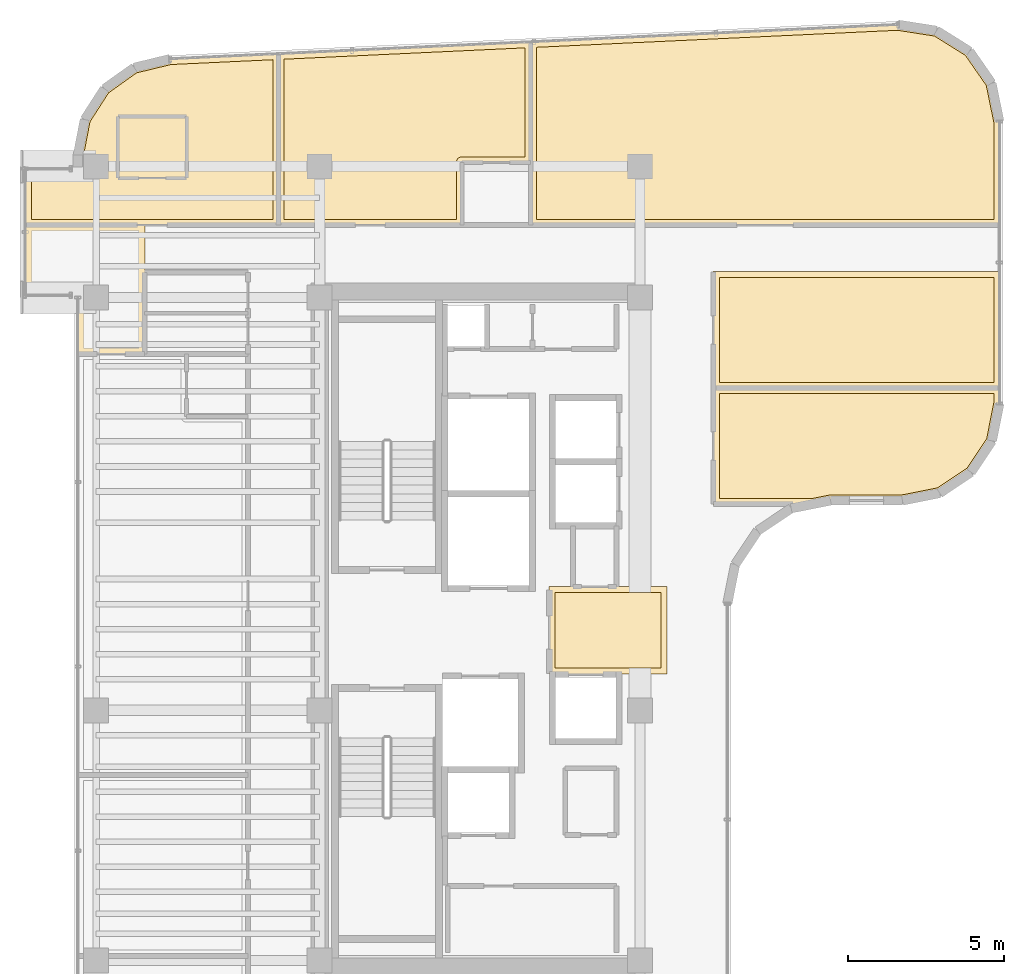
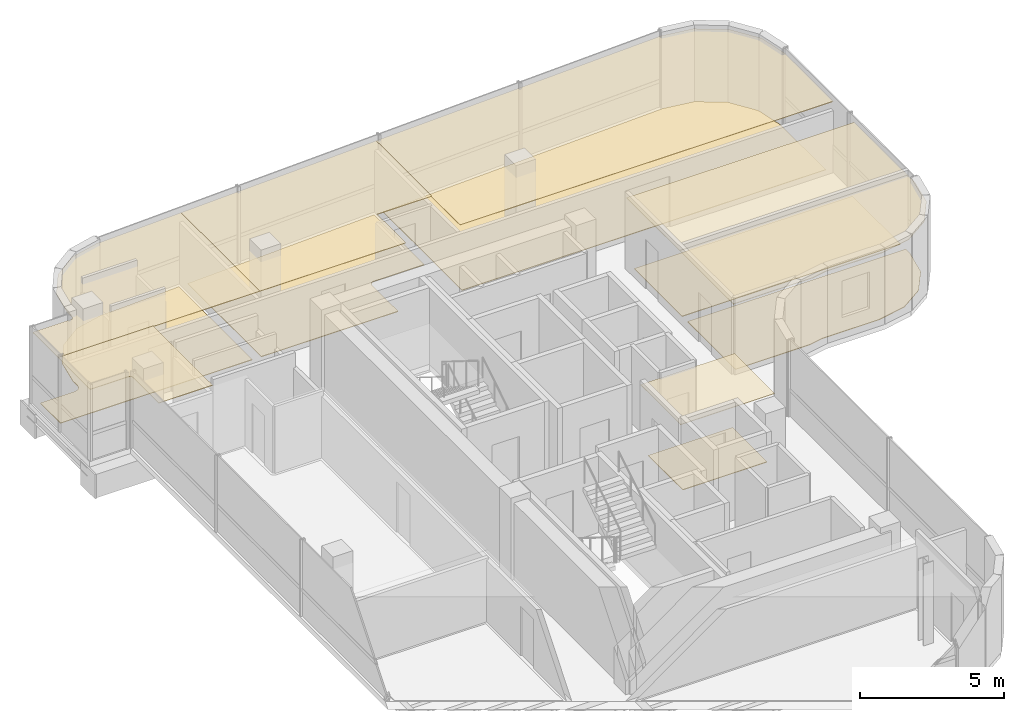
# One storey, part 20 of 20: 13 coverings.
"""IFC4 building model written with IfcOpenShell, lengths in metres."""

from ifc_helpers import new_model, si_unit, direction, frame, origin, place, context, subcontext, project, spatial, polyline, outline, extrude, material, layer, layer_set, type_object, element, save


model = new_model("IFC4")

# Units and contexts
model_context = context("Model", 3, precision=1e-05, world=origin(), true_north=direction((0.0, 1.0)))
body_context = subcontext(model_context, "Body", "Model", "MODEL_VIEW")
ifc_project = project(units=[si_unit("LENGTHUNIT", "METRE"), si_unit("AREAUNIT", "SQUARE_METRE"), si_unit("VOLUMEUNIT", "CUBIC_METRE"), si_unit("PLANEANGLEUNIT", "RADIAN"), si_unit("MASSUNIT", "GRAM", prefix="KILO")], contexts=[model_context])

# Site, building, storey
site_placement = place(None, origin())
site = spatial("IfcSite", under=ifc_project, at=site_placement, CompositionType="ELEMENT")
building_placement = place(site_placement, origin())
building = spatial("IfcBuilding", under=site, at=building_placement, Name="Valdorenza Pilgrim Sanctuary Tower", CompositionType="ELEMENT")
storey_placement = place(building_placement, frame((0.0, 0.0, 283.5)))
storey = spatial("IfcBuildingStorey", under=building, at=storey_placement, Name="L74", CompositionType="ELEMENT", Elevation=283.5)

# Coverings
ifc_material_1 = material(Name="Micro-perforated acoustic mineral ceiling tile", Category="gypsum")
ifc_layer_1 = layer(ifc_material_1, 0.02490234375, Name="Micro-perforated acoustic mineral ceiling tile")
ifc_layer_set_1 = layer_set([ifc_layer_1], Name="Micro-perforated acoustic mineral ceiling tile")
covering_type_1 = type_object("IfcCoveringType", Name="COV-CLG-ACU", PredefinedType="CEILING", material=ifc_layer_set_1)
covering_1_placement = place(storey_placement, frame((0.0, 0.0, 2.9599609375)))
element("IfcCovering", 1, at=covering_1_placement, inside=storey, type_object=covering_type_1, Name="L74 Core A Passenger Lift Lobby Acoustic Ceiling", PredefinedType="CEILING", context=body_context, shape_type="SweptSolid", body=[
    extrude(outline(polyline([(-15.31494140625, 1.35009765625), (-15.31494140625, 1.3515625), (-15.314697265625, 1.352783203125), (-15.314453125, 1.3544921875), (-15.31396484375, 1.355712890625), (-15.313232421875, 1.357177734375), (-15.3125, 1.3583984375), (-15.3115234375, 1.359619140625), (-15.310546875, 1.360595703125), (-15.3095703125, 1.361572265625), (-15.308349609375, 1.362548828125), (-15.30712890625, 1.36328125), (-15.3056640625, 1.364013671875), (-15.304443359375, 1.364501953125), (-15.302978515625, 1.36474609375), (-15.301513671875, 1.364990234375), (-15.300048828125, 1.364990234375), (-11.550048828125, 1.364990234375), (-11.548583984375, 1.364990234375), (-11.547119140625, 1.36474609375), (-11.545654296875, 1.364501953125), (-11.544189453125, 1.364013671875), (-11.54296875, 1.36328125), (-11.541748046875, 1.362548828125), (-11.54052734375, 1.361572265625), (-11.539306640625, 1.360595703125), (-11.538330078125, 1.359619140625), (-11.53759765625, 1.3583984375), (-11.536865234375, 1.357177734375), (-11.5361328125, 1.355712890625), (-11.53564453125, 1.3544921875), (-11.535400390625, 1.352783203125), (-11.53515625, 1.3515625), (-11.534912109375, 1.35009765625), (-11.534912109375, -1.419921875), (-11.53515625, -1.42138671875), (-11.535400390625, -1.4228515625), (-11.53564453125, -1.42431640625), (-11.5361328125, -1.42578125), (-11.536865234375, -1.427001953125), (-11.53759765625, -1.42822265625), (-11.538330078125, -1.429443359375), (-11.539306640625, -1.4306640625), (-11.54052734375, -1.431640625), (-11.541748046875, -1.4326171875), (-11.54296875, -1.43310546875), (-11.544189453125, -1.433837890625), (-11.545654296875, -1.434326171875), (-11.547119140625, -1.434814453125), (-11.548583984375, -1.434814453125), (-11.550048828125, -1.43505859375), (-15.298095703125, -1.43505859375), (-15.299560546875, -1.434814453125), (-15.30078125, -1.434814453125), (-15.302490234375, -1.434326171875), (-15.3037109375, -1.433837890625), (-15.30517578125, -1.43310546875), (-15.306396484375, -1.4326171875), (-15.3076171875, -1.431640625), (-15.30859375, -1.4306640625), (-15.3095703125, -1.429443359375), (-15.310546875, -1.42822265625), (-15.311279296875, -1.427001953125), (-15.31201171875, -1.42578125), (-15.3125, -1.42431640625), (-15.312744140625, -1.4228515625), (-15.31298828125, -1.42138671875), (-15.31298828125, -1.419921875), (-15.31298828125, 1.244384765625), (-15.31298828125, 1.24462890625), (-15.313720703125, 1.24609375), (-15.314208984375, 1.24755859375), (-15.314697265625, 1.2490234375), (-15.31494140625, 1.25048828125), (-15.31494140625, 1.251953125), (-15.31494140625, 1.35009765625)])), origin(), (0.0, 0.0, 1.0), 0.025146484375),
])
covering_2_placement = place(storey_placement, frame((0.0, 0.0, 2.9599609375)))
element("IfcCovering", 2, at=covering_2_placement, inside=storey, type_object=covering_type_1, Name="L74 Pilgrim Scholar Office L74-WN Acoustic Ceiling", PredefinedType="CEILING", context=body_context, shape_type="SweptSolid", body=[
    extrude(outline(polyline([(-28.237060546875, 11.39453125), (-28.237060546875, 10.103759765625), (-28.23681640625, 10.10302734375), (-28.23681640625, 10.1015625), (-28.23681640625, 10.10009765625), (-28.23681640625, 10.098388671875), (-28.237060546875, 10.09814453125), (-28.237060546875, 8.800048828125), (-28.237060546875, 8.798583984375), (-28.2373046875, 8.797119140625), (-28.237548828125, 8.795654296875), (-28.238037109375, 8.794189453125), (-28.23876953125, 8.79296875), (-28.239501953125, 8.791748046875), (-28.240478515625, 8.79052734375), (-28.241455078125, 8.789306640625), (-28.242431640625, 8.788330078125), (-28.24365234375, 8.78759765625), (-28.244873046875, 8.786865234375), (-28.246337890625, 8.7861328125), (-28.24755859375, 8.78564453125), (-28.2490234375, 8.785400390625), (-28.25048828125, 8.78515625), (-28.251953125, 8.784912109375), (-30.389892578125, 8.784912109375), (-30.3916015625, 8.78515625), (-30.392822265625, 8.785400390625), (-30.394287109375, 8.78564453125), (-30.395751953125, 8.7861328125), (-30.397216796875, 8.786865234375), (-30.398193359375, 8.78759765625), (-30.3994140625, 8.788330078125), (-30.400634765625, 8.789306640625), (-30.401611328125, 8.79052734375), (-30.402587890625, 8.791748046875), (-30.4033203125, 8.79296875), (-30.40380859375, 8.794189453125), (-30.404296875, 8.795654296875), (-30.40478515625, 8.797119140625), (-30.40478515625, 8.798583984375), (-30.405029296875, 8.800048828125), (-30.405029296875, 10.599609375), (-30.405517578125, 10.609375), (-30.40673828125, 10.618408203125), (-30.4091796875, 10.627685546875), (-30.412109375, 10.63623046875), (-30.416259765625, 10.644775390625), (-30.4208984375, 10.65283203125), (-30.426513671875, 10.660400390625), (-30.432861328125, 10.667236328125), (-30.439697265625, 10.67333984375), (-30.447265625, 10.678955078125), (-30.455078125, 10.683837890625), (-30.463623046875, 10.687744140625), (-30.472412109375, 10.69091796875), (-30.4814453125, 10.693115234375), (-30.49072265625, 10.694580078125), (-30.50048828125, 10.695068359375), (-32.0400390625, 10.695068359375), (-32.04150390625, 10.695068359375), (-32.04296875, 10.6953125), (-32.04443359375, 10.695556640625), (-32.045654296875, 10.696044921875), (-32.047119140625, 10.69677734375), (-32.04833984375, 10.697509765625), (-32.049560546875, 10.698486328125), (-32.050537109375, 10.699462890625), (-32.051513671875, 10.700439453125), (-32.052490234375, 10.70166015625), (-32.05322265625, 10.702880859375), (-32.053955078125, 10.704345703125), (-32.054443359375, 10.70556640625), (-32.0546875, 10.70703125), (-32.054931640625, 10.70849609375), (-32.054931640625, 10.7099609375), (-32.054931640625, 12.919921875), (-32.054931640625, 12.92138671875), (-32.0546875, 12.9228515625), (-32.054443359375, 12.92431640625), (-32.053955078125, 12.92578125), (-32.05322265625, 12.927001953125), (-32.052490234375, 12.92822265625), (-32.051513671875, 12.929443359375), (-32.050537109375, 12.9306640625), (-32.049560546875, 12.931640625), (-32.04833984375, 12.9326171875), (-32.047119140625, 12.93310546875), (-32.045654296875, 12.933837890625), (-32.04443359375, 12.934326171875), (-32.04296875, 12.934814453125), (-32.04150390625, 12.934814453125), (-32.0400390625, 12.93505859375), (-28.25, 12.93505859375), (-28.24853515625, 12.934814453125), (-28.2470703125, 12.934814453125), (-28.24560546875, 12.934326171875), (-28.244384765625, 12.933837890625), (-28.242919921875, 12.93310546875), (-28.24169921875, 12.9326171875), (-28.240478515625, 12.931640625), (-28.239501953125, 12.9306640625), (-28.23828125, 12.929443359375), (-28.237548828125, 12.92822265625), (-28.23681640625, 12.927001953125), (-28.236083984375, 12.92578125), (-28.235595703125, 12.92431640625), (-28.2353515625, 12.9228515625), (-28.235107421875, 12.92138671875), (-28.235107421875, 12.919921875), (-28.235107421875, 11.402099609375), (-28.235107421875, 11.400390625), (-28.2353515625, 11.39892578125), (-28.235595703125, 11.3974609375), (-28.236083984375, 11.39599609375), (-28.23681640625, 11.394775390625), (-28.237060546875, 11.39453125)])), origin(), (0.0, 0.0, 1.0), 0.025146484375),
])
covering_3_placement = place(storey_placement, frame((0.0, 0.0, 2.9599609375)))
element("IfcCovering", 3, at=covering_3_placement, inside=storey, type_object=covering_type_1, Name="L74 North Grand Guest Room L74-N1A Acoustic Ceiling", PredefinedType="CEILING", context=body_context, shape_type="SweptSolid", body=[
    extrude(outline(polyline([(-30.50048828125, 14.705078125), (-30.49072265625, 14.70556640625), (-30.4814453125, 14.706787109375), (-30.472412109375, 14.708984375), (-30.463623046875, 14.712158203125), (-30.455078125, 14.71630859375), (-30.447265625, 14.720947265625), (-30.439697265625, 14.7265625), (-30.432861328125, 14.73291015625), (-30.426513671875, 14.73974609375), (-30.4208984375, 14.747314453125), (-30.416259765625, 14.755126953125), (-30.412109375, 14.763671875), (-30.4091796875, 14.7724609375), (-30.40673828125, 14.781494140625), (-30.405517578125, 14.790771484375), (-30.405029296875, 14.80029296875), (-30.405029296875, 15.13671875), (-30.40478515625, 15.13818359375), (-30.40478515625, 15.1396484375), (-30.181396484375, 16.298095703125), (-30.180908203125, 16.299560546875), (-30.180419921875, 16.30078125), (-30.179931640625, 16.30224609375), (-30.17919921875, 16.303466796875), (-29.547119140625, 17.286865234375), (-29.546142578125, 17.2880859375), (-29.545166015625, 17.2890625), (-29.544189453125, 17.2900390625), (-29.54296875, 17.291015625), (-28.59033203125, 17.968994140625), (-28.589111328125, 17.9697265625), (-28.587890625, 17.97021484375), (-28.586669921875, 17.970947265625), (-28.585205078125, 17.97119140625), (-27.438720703125, 18.248779296875), (-27.437255859375, 18.249267578125), (-27.435791015625, 18.249267578125), (-23.970703125, 18.41259765625), (-23.96923828125, 18.41259765625), (-23.9677734375, 18.41259765625), (-23.96630859375, 18.412109375), (-23.96484375, 18.41162109375), (-23.96337890625, 18.4111328125), (-23.9619140625, 18.410400390625), (-23.960693359375, 18.409423828125), (-23.959716796875, 18.408447265625), (-23.95849609375, 18.407470703125), (-23.957763671875, 18.40625), (-23.956787109375, 18.40478515625), (-23.956298828125, 18.403564453125), (-23.955810546875, 18.402099609375), (-23.955322265625, 18.400634765625), (-23.955078125, 18.399169921875), (-23.955078125, 18.397705078125), (-23.955078125, 12.919921875), (-23.955078125, 12.91845703125), (-23.955322265625, 12.9169921875), (-23.95556640625, 12.91552734375), (-23.9560546875, 12.914306640625), (-23.956787109375, 12.912841796875), (-23.95751953125, 12.91162109375), (-23.95849609375, 12.910400390625), (-23.95947265625, 12.909423828125), (-23.96044921875, 12.908447265625), (-23.961669921875, 12.907470703125), (-23.962890625, 12.90673828125), (-23.96435546875, 12.906005859375), (-23.965576171875, 12.905517578125), (-23.967041015625, 12.9052734375), (-23.968505859375, 12.905029296875), (-23.969970703125, 12.905029296875), (-28.248046875, 12.905029296875), (-28.24951171875, 12.905029296875), (-28.250732421875, 12.9052734375), (-28.252197265625, 12.905517578125), (-28.253662109375, 12.906005859375), (-28.2548828125, 12.90673828125), (-28.25537109375, 12.906982421875), (-32.0400390625, 12.906982421875), (-32.04150390625, 12.906982421875), (-32.04296875, 12.9072265625), (-32.04443359375, 12.90771484375), (-32.045654296875, 12.908203125), (-32.047119140625, 12.90869140625), (-32.04833984375, 12.909423828125), (-32.049560546875, 12.910400390625), (-32.050537109375, 12.911376953125), (-32.051513671875, 12.91259765625), (-32.052490234375, 12.913818359375), (-32.05322265625, 12.914794921875), (-32.053955078125, 12.916259765625), (-32.054443359375, 12.91748046875), (-32.0546875, 12.919189453125), (-32.054931640625, 12.92041015625), (-32.054931640625, 12.922119140625), (-32.054931640625, 14.68994140625), (-32.054931640625, 14.69140625), (-32.0546875, 14.69287109375), (-32.054443359375, 14.6943359375), (-32.053955078125, 14.69580078125), (-32.05322265625, 14.697021484375), (-32.052490234375, 14.6982421875), (-32.051513671875, 14.699462890625), (-32.050537109375, 14.70068359375), (-32.049560546875, 14.70166015625), (-32.04833984375, 14.702392578125), (-32.047119140625, 14.703125), (-32.045654296875, 14.703857421875), (-32.04443359375, 14.704345703125), (-32.04296875, 14.70458984375), (-32.04150390625, 14.704833984375), (-32.0400390625, 14.705078125), (-30.50048828125, 14.705078125)])), origin(), (0.0, 0.0, 1.0), 0.025146484375),
])
covering_4_placement = place(storey_placement, frame((0.0, 0.0, 2.9599609375)))
element("IfcCovering", 4, at=covering_4_placement, inside=storey, type_object=covering_type_1, Name="L74 North Grand Guest Room L74-N1B Acoustic Ceiling", PredefinedType="CEILING", context=body_context, shape_type="SweptSolid", body=[
    extrude(outline(polyline([(-23.98291015625, 18.397705078125), (-23.98291015625, 18.3984375), (-23.98291015625, 18.39990234375), (-23.982666015625, 18.4013671875), (-23.982177734375, 18.40283203125), (-23.981689453125, 18.404296875), (-23.98095703125, 18.405517578125), (-23.97998046875, 18.40673828125), (-23.97900390625, 18.40771484375), (-23.97802734375, 18.408935546875), (-23.976806640625, 18.409912109375), (-23.9755859375, 18.41064453125), (-23.974365234375, 18.411376953125), (-23.972900390625, 18.411865234375), (-23.9716796875, 18.412353515625), (-23.97021484375, 18.41259765625), (-23.96875, 18.41259765625), (-15.900634765625, 18.793212890625), (-15.899169921875, 18.793212890625), (-15.897705078125, 18.79296875), (-15.896240234375, 18.79248046875), (-15.894775390625, 18.7919921875), (-15.893310546875, 18.79150390625), (-15.89208984375, 18.790771484375), (-15.890869140625, 18.789794921875), (-15.8896484375, 18.7890625), (-15.888671875, 18.787841796875), (-15.8876953125, 18.78662109375), (-15.886962890625, 18.785400390625), (-15.88623046875, 18.783935546875), (-15.8857421875, 18.78271484375), (-15.88525390625, 18.781005859375), (-15.885009765625, 18.779541015625), (-15.885009765625, 18.778076171875), (-15.885009765625, 14.922119140625), (-15.885009765625, 14.92041015625), (-15.88525390625, 14.919189453125), (-15.885498046875, 14.91748046875), (-15.885986328125, 14.916259765625), (-15.88671875, 14.914794921875), (-15.887451171875, 14.913818359375), (-15.888427734375, 14.91259765625), (-15.889404296875, 14.911376953125), (-15.890380859375, 14.910400390625), (-15.8916015625, 14.909423828125), (-15.892822265625, 14.90869140625), (-15.894287109375, 14.908203125), (-15.8955078125, 14.90771484375), (-15.897216796875, 14.9072265625), (-15.8984375, 14.906982421875), (-15.89990234375, 14.906982421875), (-18.0869140625, 14.906982421875), (-18.0869140625, 12.919921875), (-18.087158203125, 12.91845703125), (-18.08740234375, 12.9169921875), (-18.087646484375, 12.91552734375), (-18.088134765625, 12.914306640625), (-18.0888671875, 12.912841796875), (-18.089599609375, 12.91162109375), (-18.09033203125, 12.910400390625), (-18.09130859375, 12.909423828125), (-18.092529296875, 12.908447265625), (-18.09375, 12.907470703125), (-18.094970703125, 12.90673828125), (-18.09619140625, 12.906005859375), (-18.09765625, 12.905517578125), (-18.09912109375, 12.9052734375), (-18.1005859375, 12.905029296875), (-18.10205078125, 12.905029296875), (-23.968017578125, 12.905029296875), (-23.969482421875, 12.905029296875), (-23.970947265625, 12.9052734375), (-23.972412109375, 12.905517578125), (-23.9736328125, 12.906005859375), (-23.97509765625, 12.90673828125), (-23.976318359375, 12.907470703125), (-23.9775390625, 12.908447265625), (-23.978515625, 12.909423828125), (-23.9794921875, 12.910400390625), (-23.98046875, 12.91162109375), (-23.981201171875, 12.912841796875), (-23.98193359375, 12.914306640625), (-23.982421875, 12.91552734375), (-23.982666015625, 12.9169921875), (-23.98291015625, 12.91845703125), (-23.98291015625, 12.919921875), (-23.98291015625, 18.397705078125), (-23.98291015625, 18.397705078125)])), origin(), (0.0, 0.0, 1.0), 0.025146484375),
])
covering_5_placement = place(storey_placement, frame((0.0, 0.0, 2.9599609375)))
element("IfcCovering", 5, at=covering_5_placement, inside=storey, type_object=covering_type_1, Name="L74 Sacred Archive Reading Library L74-N2 Acoustic Ceiling", PredefinedType="CEILING", context=body_context, shape_type="SweptSolid", body=[
    extrude(outline(polyline([(-15.9130859375, 14.918212890625), (-15.9130859375, 14.9189453125), (-15.913330078125, 14.92041015625), (-15.9130859375, 14.922119140625), (-15.9130859375, 14.923583984375), (-15.9130859375, 14.923828125), (-15.9130859375, 18.778076171875), (-15.9130859375, 18.778076171875), (-15.9130859375, 18.77880859375), (-15.912841796875, 18.780517578125), (-15.91259765625, 18.78173828125), (-15.912109375, 18.783203125), (-15.91162109375, 18.78466796875), (-15.910888671875, 18.785888671875), (-15.91015625, 18.787109375), (-15.9091796875, 18.788330078125), (-15.908203125, 18.789306640625), (-15.906982421875, 18.790283203125), (-15.90576171875, 18.791015625), (-15.904296875, 18.791748046875), (-15.903076171875, 18.792236328125), (-15.901611328125, 18.792724609375), (-15.900146484375, 18.79296875), (-15.898681640625, 18.793212890625), (-4.157470703125, 19.3466796875), (-4.156005859375, 19.3466796875), (-4.154296875, 19.346435546875), (-2.91748046875, 19.153076171875), (-2.916015625, 19.152587890625), (-2.91455078125, 19.15234375), (-2.9130859375, 19.151611328125), (-2.911865234375, 19.15087890625), (-1.860595703125, 18.492431640625), (-1.859619140625, 18.49169921875), (-1.8583984375, 18.490478515625), (-1.857421875, 18.489501953125), (-1.8564453125, 18.48828125), (-1.149169921875, 17.46923828125), (-1.148193359375, 17.468017578125), (-1.147705078125, 17.466552734375), (-1.147216796875, 17.465087890625), (-1.146728515625, 17.463623046875), (-0.895263671875, 16.237548828125), (-0.89501953125, 16.236083984375), (-0.89501953125, 16.234375), (-0.89501953125, 12.919921875), (-0.89501953125, 12.91845703125), (-0.895263671875, 12.9169921875), (-0.8955078125, 12.91552734375), (-0.89599609375, 12.914306640625), (-0.896728515625, 12.912841796875), (-0.8974609375, 12.91162109375), (-0.8984375, 12.910400390625), (-0.8994140625, 12.909423828125), (-0.900390625, 12.908447265625), (-0.901611328125, 12.907470703125), (-0.90283203125, 12.90673828125), (-0.904296875, 12.906005859375), (-0.905517578125, 12.905517578125), (-0.906982421875, 12.9052734375), (-0.908447265625, 12.905029296875), (-0.909912109375, 12.905029296875), (-15.89794921875, 12.905029296875), (-15.8994140625, 12.905029296875), (-15.90087890625, 12.9052734375), (-15.90234375, 12.905517578125), (-15.90380859375, 12.906005859375), (-15.905029296875, 12.90673828125), (-15.90625, 12.907470703125), (-15.907470703125, 12.908447265625), (-15.90869140625, 12.909423828125), (-15.90966796875, 12.910400390625), (-15.910400390625, 12.91162109375), (-15.9111328125, 12.912841796875), (-15.911865234375, 12.914306640625), (-15.912353515625, 12.91552734375), (-15.91259765625, 12.9169921875), (-15.912841796875, 12.91845703125), (-15.9130859375, 12.919921875), (-15.9130859375, 14.918212890625)])), origin(), (0.0, 0.0, 1.0), 0.025146484375),
])
covering_6_placement = place(storey_placement, frame((0.0, 0.0, 2.9599609375)))
element("IfcCovering", 6, at=covering_6_placement, inside=storey, type_object=covering_type_1, Name="L74 Sacred Art Exhibition Gallery L74-E1 Acoustic Ceiling", PredefinedType="CEILING", context=body_context, shape_type="SweptSolid", body=[
    extrude(outline(polyline([(-10.06494140625, 7.7099609375), (-10.06494140625, 7.71142578125), (-10.064697265625, 7.712890625), (-10.064453125, 7.71435546875), (-10.06396484375, 7.7158203125), (-10.063232421875, 7.717041015625), (-10.0625, 7.71826171875), (-10.0615234375, 7.719482421875), (-10.060546875, 7.720703125), (-10.0595703125, 7.7216796875), (-10.058349609375, 7.722412109375), (-10.05712890625, 7.72314453125), (-10.0556640625, 7.723876953125), (-10.054443359375, 7.724365234375), (-10.052978515625, 7.724609375), (-10.051513671875, 7.724853515625), (-10.050048828125, 7.72509765625), (-0.909912109375, 7.72509765625), (-0.908447265625, 7.724853515625), (-0.906982421875, 7.724609375), (-0.905517578125, 7.724365234375), (-0.904296875, 7.723876953125), (-0.90283203125, 7.72314453125), (-0.901611328125, 7.722412109375), (-0.900390625, 7.7216796875), (-0.8994140625, 7.720703125), (-0.8984375, 7.719482421875), (-0.8974609375, 7.71826171875), (-0.896728515625, 7.717041015625), (-0.89599609375, 7.7158203125), (-0.8955078125, 7.71435546875), (-0.895263671875, 7.712890625), (-0.89501953125, 7.71142578125), (-0.89501953125, 7.7099609375), (-0.89501953125, 7.210693359375), (-0.89501953125, 7.20947265625), (-0.895263671875, 7.2080078125), (-1.132568359375, 6.015380859375), (-1.1328125, 6.013916015625), (-1.13330078125, 6.0126953125), (-1.134033203125, 6.01123046875), (-1.134765625, 6.010009765625), (-1.80419921875, 5.00830078125), (-1.804931640625, 5.007080078125), (-1.805908203125, 5.006103515625), (-1.80712890625, 5.0048828125), (-1.808349609375, 5.004150390625), (-2.81005859375, 4.334716796875), (-2.811279296875, 4.333984375), (-2.8125, 4.33349609375), (-2.81396484375, 4.3330078125), (-2.8154296875, 4.33251953125), (-4.0078125, 4.09521484375), (-4.009521484375, 4.09521484375), (-4.0107421875, 4.094970703125), (-6.299560546875, 4.094970703125), (-6.309326171875, 4.094482421875), (-6.31884765625, 4.093017578125), (-6.86083984375, 3.9853515625), (-6.8623046875, 3.985107421875), (-6.86376953125, 3.985107421875), (-10.050048828125, 3.985107421875), (-10.051513671875, 3.985107421875), (-10.052978515625, 3.9853515625), (-10.054443359375, 3.985595703125), (-10.0556640625, 3.986083984375), (-10.05712890625, 3.98681640625), (-10.058349609375, 3.987548828125), (-10.0595703125, 3.98828125), (-10.060546875, 3.989501953125), (-10.0615234375, 3.990478515625), (-10.0625, 3.99169921875), (-10.063232421875, 3.992919921875), (-10.06396484375, 3.994384765625), (-10.064453125, 3.99560546875), (-10.064697265625, 3.9970703125), (-10.06494140625, 3.99853515625), (-10.06494140625, 4.0), (-10.06494140625, 7.7099609375)])), origin(), (0.0, 0.0, 1.0), 0.025146484375),
])
covering_7_placement = place(storey_placement, frame((0.0, 0.0, 2.9599609375)))
element("IfcCovering", 7, at=covering_7_placement, inside=storey, type_object=covering_type_1, Name="L74 Sacred Art Exhibition Gallery L74-E2 Acoustic Ceiling", PredefinedType="CEILING", context=body_context, shape_type="SweptSolid", body=[
    extrude(outline(polyline([(-10.06494140625, 11.419921875), (-10.06494140625, 11.42138671875), (-10.064697265625, 11.4228515625), (-10.064453125, 11.42431640625), (-10.06396484375, 11.42578125), (-10.063232421875, 11.427001953125), (-10.0625, 11.42822265625), (-10.0615234375, 11.429443359375), (-10.060546875, 11.4306640625), (-10.0595703125, 11.431640625), (-10.058349609375, 11.4326171875), (-10.05712890625, 11.43310546875), (-10.0556640625, 11.433837890625), (-10.054443359375, 11.434326171875), (-10.052978515625, 11.434814453125), (-10.051513671875, 11.434814453125), (-10.050048828125, 11.43505859375), (-0.909912109375, 11.43505859375), (-0.908447265625, 11.434814453125), (-0.906982421875, 11.434814453125), (-0.905517578125, 11.434326171875), (-0.904296875, 11.433837890625), (-0.90283203125, 11.43310546875), (-0.901611328125, 11.4326171875), (-0.900390625, 11.431640625), (-0.8994140625, 11.4306640625), (-0.8984375, 11.429443359375), (-0.8974609375, 11.42822265625), (-0.896728515625, 11.427001953125), (-0.89599609375, 11.42578125), (-0.8955078125, 11.42431640625), (-0.895263671875, 11.4228515625), (-0.89501953125, 11.42138671875), (-0.89501953125, 11.419921875), (-0.89501953125, 7.7119140625), (-0.89501953125, 7.71044921875), (-0.895263671875, 7.708984375), (-0.8955078125, 7.70751953125), (-0.89599609375, 7.706298828125), (-0.896728515625, 7.704833984375), (-0.8974609375, 7.70361328125), (-0.8984375, 7.702392578125), (-0.8994140625, 7.701416015625), (-0.900390625, 7.700439453125), (-0.901611328125, 7.699462890625), (-0.90283203125, 7.69873046875), (-0.904296875, 7.697998046875), (-0.905517578125, 7.697509765625), (-0.906982421875, 7.697265625), (-0.908447265625, 7.697021484375), (-0.909912109375, 7.697021484375), (-10.050048828125, 7.697021484375), (-10.051513671875, 7.697021484375), (-10.052978515625, 7.697265625), (-10.054443359375, 7.697509765625), (-10.0556640625, 7.697998046875), (-10.05712890625, 7.69873046875), (-10.058349609375, 7.699462890625), (-10.0595703125, 7.700439453125), (-10.060546875, 7.701416015625), (-10.0615234375, 7.702392578125), (-10.0625, 7.70361328125), (-10.063232421875, 7.704833984375), (-10.06396484375, 7.706298828125), (-10.064453125, 7.70751953125), (-10.064697265625, 7.708984375), (-10.06494140625, 7.71044921875), (-10.06494140625, 7.7119140625), (-10.06494140625, 11.419921875)])), origin(), (0.0, 0.0, 1.0), 0.025146484375),
])
ifc_material_2 = material(Name="Engineered European oak timber flooring", Category="wood")
ifc_layer_2 = layer(ifc_material_2, 0.02197265625, Name="Engineered European oak timber flooring")
ifc_layer_set_2 = layer_set([ifc_layer_2], Name="Engineered European oak timber flooring")
covering_type_2 = type_object("IfcCoveringType", Name="COV-FLR-OAK", PredefinedType="FLOORING", material=ifc_layer_set_2)
covering_8_placement = place(storey_placement, origin())
element("IfcCovering", 8, at=covering_8_placement, inside=storey, type_object=covering_type_2, Name="L74 North Grand Guest Room L74-N1A Flooring", PredefinedType="FLOORING", context=body_context, shape_type="SweptSolid", body=[
    extrude(outline(polyline([(-30.5, 14.510009765625), (-30.4912109375, 14.51025390625), (-30.48046875, 14.5107421875), (-30.462890625, 14.512451171875), (-30.4521484375, 14.51416015625), (-30.434814453125, 14.517578125), (-30.42431640625, 14.52001953125), (-30.407470703125, 14.525390625), (-30.397216796875, 14.52880859375), (-30.380859375, 14.53564453125), (-30.37109375, 14.540283203125), (-30.355712890625, 14.548583984375), (-30.34619140625, 14.55419921875), (-30.331787109375, 14.56396484375), (-30.322998046875, 14.5703125), (-30.309326171875, 14.58154296875), (-30.30126953125, 14.5888671875), (-30.288818359375, 14.601318359375), (-30.281494140625, 14.609375), (-30.2705078125, 14.623046875), (-30.263916015625, 14.631591796875), (-30.254150390625, 14.646240234375), (-30.24853515625, 14.655517578125), (-30.240234375, 14.671142578125), (-30.235595703125, 14.680908203125), (-30.22900390625, 14.697265625), (-30.225341796875, 14.70751953125), (-30.22021484375, 14.724365234375), (-30.217529296875, 14.73486328125), (-30.214111328125, 14.752197265625), (-30.21240234375, 14.7626953125), (-30.210693359375, 14.780517578125), (-30.210205078125, 14.791259765625), (-30.2099609375, 14.800048828125), (-30.2099609375, 15.11962890625), (-29.996337890625, 16.227294921875), (-29.401611328125, 17.152099609375), (-28.505615234375, 17.789794921875), (-27.409423828125, 18.055419921875), (-24.14990234375, 18.208984375), (-24.14990234375, 13.10009765625), (-28.22314453125, 13.10009765625), (-28.22314453125, 13.10009765625), (-28.223388671875, 13.10009765625), (-28.240966796875, 13.101806640625), (-28.2412109375, 13.101806640625), (-28.25, 13.10205078125), (-31.860107421875, 13.10205078125), (-31.860107421875, 14.510009765625), (-30.5, 14.510009765625)])), origin(), (0.0, 0.0, 1.0), 0.02490234375),
])
covering_9_placement = place(storey_placement, origin())
element("IfcCovering", 9, at=covering_9_placement, inside=storey, type_object=covering_type_2, Name="L74 North Grand Guest Room L74-N1B Flooring", PredefinedType="FLOORING", context=body_context, shape_type="SweptSolid", body=[
    extrude(outline(polyline([(-16.080078125, 18.58935546875), (-16.080078125, 15.10205078125), (-18.10009765625, 15.10205078125), (-18.10888671875, 15.101806640625), (-18.10888671875, 15.101806640625), (-18.126708984375, 15.10009765625), (-18.126708984375, 15.10009765625), (-18.14404296875, 15.0966796875), (-18.144287109375, 15.096435546875), (-18.1611328125, 15.09130859375), (-18.161376953125, 15.09130859375), (-18.177734375, 15.084716796875), (-18.177978515625, 15.08447265625), (-18.193603515625, 15.076171875), (-18.193603515625, 15.076171875), (-18.208251953125, 15.066162109375), (-18.20849609375, 15.066162109375), (-18.22216796875, 15.054931640625), (-18.222412109375, 15.0546875), (-18.23486328125, 15.042236328125), (-18.23486328125, 15.0419921875), (-18.24609375, 15.028564453125), (-18.24609375, 15.0283203125), (-18.256103515625, 15.013671875), (-18.256103515625, 15.013427734375), (-18.264404296875, 14.997802734375), (-18.2646484375, 14.997802734375), (-18.271240234375, 14.9814453125), (-18.271484375, 14.981201171875), (-18.276611328125, 14.96435546875), (-18.276611328125, 14.964111328125), (-18.280029296875, 14.94677734375), (-18.280029296875, 14.946533203125), (-18.28173828125, 14.928955078125), (-18.28173828125, 14.9287109375), (-18.281982421875, 14.919921875), (-18.281982421875, 13.10009765625), (-23.7880859375, 13.10009765625), (-23.7880859375, 18.22607421875), (-16.080078125, 18.58935546875)])), origin(), (0.0, 0.0, 1.0), 0.02490234375),
])
ifc_material_3 = material(Name="Honed travertine stone flooring", Category="masonry")
ifc_layer_3 = layer(ifc_material_3, 0.030029296875, Name="Honed travertine stone flooring")
ifc_layer_set_3 = layer_set([ifc_layer_3], Name="Honed travertine stone flooring")
covering_type_3 = type_object("IfcCoveringType", Name="COV-FLR-TRV", PredefinedType="FLOORING", material=ifc_layer_set_3)
covering_10_placement = place(storey_placement, origin())
element("IfcCovering", 10, at=covering_10_placement, inside=storey, type_object=covering_type_3, Name="L74 Core A Passenger Lift Lobby Flooring", PredefinedType="FLOORING", context=body_context, shape_type="SweptSolid", body=[
    extrude(outline(polyline([(-15.117919921875, 1.169921875), (-11.72998046875, 1.169921875), (-11.72998046875, -1.239990234375), (-15.117919921875, -1.239990234375), (-15.117919921875, 1.169921875)])), origin(), (0.0, 0.0, 1.0), 0.02490234375),
])
covering_11_placement = place(storey_placement, origin())
element("IfcCovering", 11, at=covering_11_placement, inside=storey, type_object=covering_type_3, Name="L74 Sacred Archive Reading Library L74-N2 Flooring", PredefinedType="FLOORING", context=body_context, shape_type="SweptSolid", body=[
    extrude(outline(polyline([(-15.718017578125, 14.921630859375), (-15.718017578125, 14.922119140625), (-15.718017578125, 18.6064453125), (-4.16650390625, 19.15087890625), (-2.984130859375, 18.966064453125), (-1.99560546875, 18.3466796875), (-1.330322265625, 17.388427734375), (-1.090087890625, 16.21630859375), (-1.090087890625, 13.10009765625), (-15.718017578125, 13.10009765625), (-15.718017578125, 14.919921875), (-15.718017578125, 14.9208984375), (-15.718017578125, 14.921630859375)])), origin(), (0.0, 0.0, 1.0), 0.02490234375),
])
covering_12_placement = place(storey_placement, origin())
element("IfcCovering", 12, at=covering_12_placement, inside=storey, type_object=covering_type_3, Name="L74 Sacred Art Exhibition Gallery L74-E1 Flooring", PredefinedType="FLOORING", context=body_context, shape_type="SweptSolid", body=[
    extrude(outline(polyline([(-9.8701171875, 7.530029296875), (-1.090087890625, 7.530029296875), (-1.090087890625, 7.228515625), (-1.31689453125, 6.088623046875), (-1.9462890625, 5.146484375), (-2.888671875, 4.516845703125), (-4.028564453125, 4.2900390625), (-6.300048828125, 4.2900390625), (-6.308837890625, 4.289794921875), (-6.319580078125, 4.289306640625), (-6.337158203125, 4.28759765625), (-6.347900390625, 4.285888671875), (-6.356689453125, 4.284423828125), (-6.881591796875, 4.179931640625), (-9.8701171875, 4.179931640625), (-9.8701171875, 7.530029296875)])), origin(), (0.0, 0.0, 1.0), 0.02490234375),
])
covering_13_placement = place(storey_placement, origin())
element("IfcCovering", 13, at=covering_13_placement, inside=storey, type_object=covering_type_3, Name="L74 Sacred Art Exhibition Gallery L74-E2 Flooring", PredefinedType="FLOORING", context=body_context, shape_type="SweptSolid", body=[
    extrude(outline(polyline([(-9.8701171875, 11.239990234375), (-1.090087890625, 11.239990234375), (-1.090087890625, 7.89208984375), (-9.8701171875, 7.89208984375), (-9.8701171875, 11.239990234375)])), origin(), (0.0, 0.0, 1.0), 0.02490234375),
])

save(model, "model.ifc")
